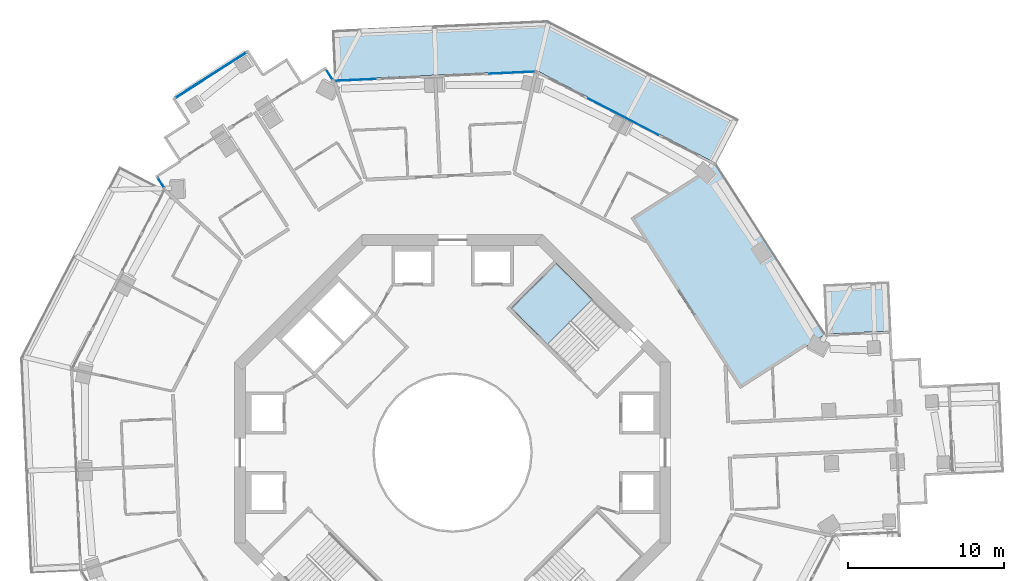
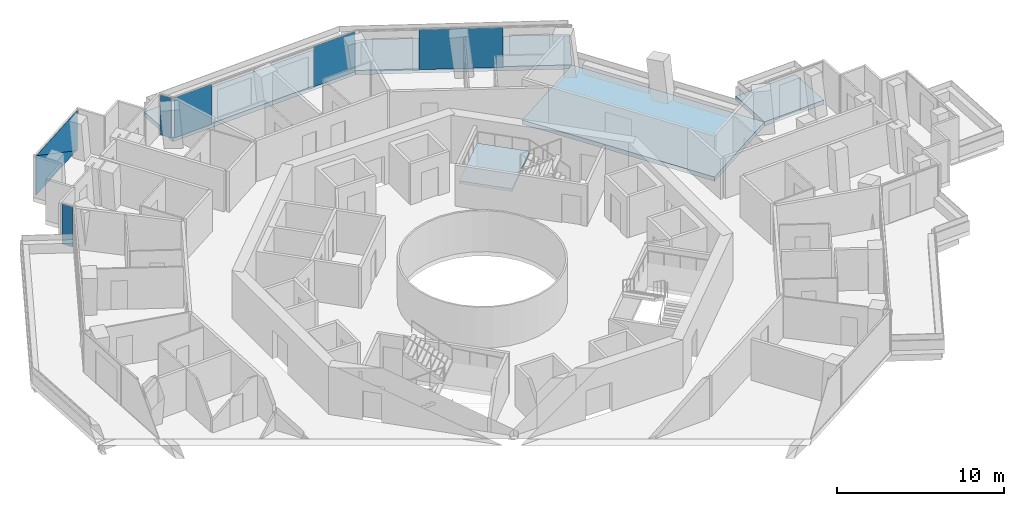
# One storey, part 13 of 22: 7 plates, 4 slabs, 6 elements without a shape of their own.
"""IFC4 building model written with IfcOpenShell, lengths in metres."""

from ifc_helpers import new_model, si_unit, direction, frame, origin, origin_2d, place, context, subcontext, project, spatial, polyline, rectangle, outline, extrude, material, layer, layer_set, type_object, element, aggregate, save


model = new_model("IFC4")

# Units and contexts
model_context = context("Model", 3, precision=1e-05, world=origin(), true_north=direction((0.0, 1.0)))
body_context = subcontext(model_context, "Body", "Model", "MODEL_VIEW")
ifc_project = project(units=[si_unit("LENGTHUNIT", "METRE"), si_unit("AREAUNIT", "SQUARE_METRE"), si_unit("VOLUMEUNIT", "CUBIC_METRE"), si_unit("PLANEANGLEUNIT", "RADIAN"), si_unit("MASSUNIT", "GRAM", prefix="KILO")], contexts=[model_context])

# Site, building, storey
site_placement = place(None, origin())
site = spatial("IfcSite", under=ifc_project, at=site_placement, CompositionType="ELEMENT")
building_placement = place(site_placement, origin())
building = spatial("IfcBuilding", under=site, at=building_placement, Name="Verdalira Terraces Hotel", CompositionType="ELEMENT")
storey_placement = place(building_placement, frame((0.0, 0.0, 165.5)))
storey = spatial("IfcBuildingStorey", under=building, at=storey_placement, Name="L40", CompositionType="ELEMENT", Elevation=165.5)

# Slabs
ifc_material_1 = material(Name="Precast concrete C40/50", Category="concrete")
ifc_layer_1 = layer(ifc_material_1, 0.31005859375)
ifc_layer_set_1 = layer_set([ifc_layer_1], Name="Balcony deck 310")
slab_type_1 = type_object("IfcSlabType", Name="Balcony deck 310", PredefinedType="FLOOR", material=ifc_layer_set_1)
slab_1_placement = place(storey_placement, frame((0.0, 0.0, -0.310059)))
element("IfcSlab", 1, at=slab_1_placement, inside=storey, type_object=slab_type_1, Name="Balcony deck", PredefinedType="FLOOR", context=body_context, shape_type="SweptSolid", body=[
    extrude(outline(polyline([(23.785889, 10.807129), (23.933105, 7.610352), (28.169189, 7.805664), (28.021729, 11.002441), (23.785889, 10.807129)])), origin(), (0.0, 0.0, 1.0), 0.310059),
])
slab_2_placement = place(storey_placement, frame((0.0, 0.0, -0.310059)))
element("IfcSlab", 2, at=slab_2_placement, inside=storey, type_object=slab_type_1, Name="Balcony deck", PredefinedType="FLOOR", context=body_context, shape_type="SweptSolid", body=[
    extrude(outline(polyline([(-7.757812, 27.129883), (-7.610352, 23.933105), (5.375732, 24.531982), (16.921631, 18.557373), (18.39209, 21.399414), (6.084961, 27.768066), (-7.757812, 27.129883)])), origin(), (0.0, 0.0, 1.0), 0.310059),
])

# Curtain wall, plate
ifc_material_2 = material(Name="Clear glass", Category="glass")
ifc_layer_2 = layer(ifc_material_2, 0.14990234375)
ifc_layer_set_2 = layer_set([ifc_layer_2], Name="CW1 curtain wall")
curtain_wall_type_1 = type_object("IfcCurtainWallType", Name="CW1 curtain wall", PredefinedType="NOTDEFINED", material=ifc_layer_set_2)
curtain_wall_1_placement = place(storey_placement, origin())
curtain_wall_1 = element("IfcCurtainWall", 3, at=curtain_wall_1_placement, inside=storey, type_object=curtain_wall_type_1, Name="CW1 curtain wall L40 edge 40", PredefinedType="NOTDEFINED")
ifc_material_3 = material(Name="Clear glass", Category="glass")
ifc_layer_3 = layer(ifc_material_3, 0.028076171875)
ifc_layer_set_3 = layer_set([ifc_layer_3], Name="CW1 glass unit 28")
plate_type_1 = type_object("IfcPlateType", Name="CW1 glass unit 28", PredefinedType="CURTAIN_PANEL", material=ifc_layer_set_3)
plate_1_placement = place(storey_placement, frame((10.964844, 21.55542, 0.0), z_axis=(0.0, 0.0, 1.0), x_axis=(-0.888136449, 0.459579861, 0.0)))
plate_1 = element("IfcPlate", 4, at=plate_1_placement, type_object=plate_type_1, Name="CW1 glass unit", PredefinedType="CURTAIN_PANEL", context=body_context, shape_type="SweptSolid", body=[
    extrude(rectangle(XDim=5.042969, YDim=0.028076, at=origin_2d()), origin(), (0.0, 0.0, 1.0), 2.935059),
])
aggregate(curtain_wall_1, [plate_1])

# Curtain wall, plates
curtain_wall_2_placement = place(storey_placement, origin())
curtain_wall_2 = element("IfcCurtainWall", 5, at=curtain_wall_2_placement, inside=storey, type_object=curtain_wall_type_1, Name="CW1 curtain wall L40 edge 41", PredefinedType="NOTDEFINED")
plate_2_placement = place(storey_placement, frame((3.818359, 24.38501, 0.0), z_axis=(0.0, 0.0, 1.0), x_axis=(-0.998938657, -0.04606039, 0.0)))
plate_2 = element("IfcPlate", 6, at=plate_2_placement, type_object=plate_type_1, Name="CW1 glass unit", PredefinedType="CURTAIN_PANEL", context=body_context, shape_type="SweptSolid", body=[
    extrude(rectangle(XDim=2.924805, YDim=0.028076, at=origin_2d()), origin(), (0.0, 0.0, 1.0), 2.935059),
])
plate_3_placement = place(storey_placement, frame((-6.235352, 23.921631, 0.0), z_axis=(0.0, 0.0, 1.0), x_axis=(-0.998938657, -0.04606039, 0.0)))
plate_3 = element("IfcPlate", 7, at=plate_3_placement, type_object=plate_type_1, Name="CW1 glass unit", PredefinedType="CURTAIN_PANEL", context=body_context, shape_type="SweptSolid", body=[
    extrude(rectangle(XDim=2.625977, YDim=0.028076, at=origin_2d()), origin(), (0.0, 0.0, 1.0), 2.935059),
])
aggregate(curtain_wall_2, [plate_2, plate_3])

# Curtain wall, plate
ifc_material_4 = material(Name="Clear glass", Category="glass")
ifc_layer_4 = layer(ifc_material_4, 0.14990234375)
ifc_layer_set_4 = layer_set([ifc_layer_4], Name="CW2 curtain wall")
curtain_wall_type_2 = type_object("IfcCurtainWallType", Name="CW2 curtain wall", PredefinedType="NOTDEFINED", material=ifc_layer_set_4)
curtain_wall_3_placement = place(storey_placement, origin())
curtain_wall_3 = element("IfcCurtainWall", 8, at=curtain_wall_3_placement, inside=storey, type_object=curtain_wall_type_2, Name="CW2 curtain wall L40 edge 0", PredefinedType="NOTDEFINED")
ifc_material_5 = material(Name="Clear glass", Category="glass")
ifc_layer_5 = layer(ifc_material_5, 0.031982421875)
ifc_layer_set_5 = layer_set([ifc_layer_5], Name="CW2 glass unit 32")
plate_type_2 = type_object("IfcPlateType", Name="CW2 glass unit 32", PredefinedType="CURTAIN_PANEL", material=ifc_layer_set_5)
plate_4_placement = place(storey_placement, frame((-7.902832, 24.250732, 0.0), z_axis=(0.0, 0.0, 1.0), x_axis=(-0.539358796, 0.842076059, 0.0)))
plate_4 = element("IfcPlate", 9, at=plate_4_placement, type_object=plate_type_2, Name="CW2 glass unit", PredefinedType="CURTAIN_PANEL", context=body_context, shape_type="SweptSolid", body=[
    extrude(rectangle(XDim=0.709961, YDim=0.031982, at=origin_2d()), origin(), (0.0, 0.0, 1.0), 2.935059),
])
aggregate(curtain_wall_3, [plate_4])

curtain_wall_4_placement = place(storey_placement, origin())
curtain_wall_4 = element("IfcCurtainWall", 10, at=curtain_wall_4_placement, inside=storey, type_object=curtain_wall_type_2, Name="CW2 curtain wall L40 edge 10", PredefinedType="NOTDEFINED")
plate_5_placement = place(storey_placement, frame((-18.723389, 17.319824, 0.0), z_axis=(0.0, 0.0, 1.0), x_axis=(0.539358796, -0.842076059, 0.0)))
plate_5 = element("IfcPlate", 11, at=plate_5_placement, type_object=plate_type_2, Name="CW2 glass unit", PredefinedType="CURTAIN_PANEL", context=body_context, shape_type="SweptSolid", body=[
    extrude(rectangle(XDim=0.709961, YDim=0.031982, at=origin_2d()), origin(), (0.0, 0.0, 1.0), 2.935059),
])
aggregate(curtain_wall_4, [plate_5])

# Curtain wall, plates
ifc_material_6 = material(Name="Clear glass", Category="glass")
ifc_layer_6 = layer(ifc_material_6, 0.14990234375)
ifc_layer_set_6 = layer_set([ifc_layer_6], Name="CW3 curtain wall")
curtain_wall_type_3 = type_object("IfcCurtainWallType", Name="CW3 curtain wall", PredefinedType="NOTDEFINED", material=ifc_layer_set_6)
curtain_wall_5_placement = place(storey_placement, origin())
curtain_wall_5 = element("IfcCurtainWall", 12, at=curtain_wall_5_placement, inside=storey, type_object=curtain_wall_type_3, Name="CW3 curtain wall L40 edge 5", PredefinedType="NOTDEFINED")
ifc_material_7 = material(Name="Clear glass", Category="glass")
ifc_layer_7 = layer(ifc_material_7, 0.035888671875)
ifc_layer_set_7 = layer_set([ifc_layer_7], Name="CW3 glass unit 36")
plate_type_3 = type_object("IfcPlateType", Name="CW3 glass unit 36", PredefinedType="CURTAIN_PANEL", material=ifc_layer_set_7)
plate_6_placement = place(storey_placement, frame((-15.514893, 24.222656, 1.467529), z_axis=(-0.539358796, 0.842076059, 0.0), x_axis=(-0.842076059, -0.539358796, 0.0)))
plate_6 = element("IfcPlate", 13, at=plate_6_placement, type_object=plate_type_3, Name="CW3 glass unit", PredefinedType="CURTAIN_PANEL", context=body_context, shape_type="SweptSolid", body=[
    extrude(outline(polyline([(-2.669922, -1.467529), (2.669922, -1.467529), (2.669922, 1.467529), (-2.669922, -1.467529)])), origin(), (0.0, 0.0, 1.0), 0.035889),
])
plate_7_placement = place(storey_placement, frame((-15.494873, 24.191406, 1.467529), z_axis=(-0.539358796, 0.842076059, 0.0), x_axis=(-0.842076059, -0.539358796, 0.0)))
plate_7 = element("IfcPlate", 14, at=plate_7_placement, type_object=plate_type_3, Name="CW3 glass unit", PredefinedType="CURTAIN_PANEL", context=body_context, shape_type="SweptSolid", body=[
    extrude(outline(polyline([(-2.669922, -1.467529), (2.669922, 1.467529), (-2.669922, 1.467529), (-2.669922, -1.467529)])), origin(), (0.0, 0.0, 1.0), 0.035889),
])
aggregate(curtain_wall_5, [plate_6, plate_7])

# Stair, slab
ifc_material_8 = material(Name="Concrete C40", Category="concrete")
stair_type = type_object("IfcStairType", Name="Core stair 20 risers 2000 mm wide", PredefinedType="HALF_TURN_STAIR", material=ifc_material_8)
stair_placement = place(storey_placement, origin())
stair = element("IfcStair", 15, at=stair_placement, inside=storey, type_object=stair_type, Name="L40 Exit stair ST1", PredefinedType="HALF_TURN_STAIR")
ifc_material_9 = material(Name="Concrete C40", Category="concrete")
ifc_layer_8 = layer(ifc_material_9, 0.199951171875)
ifc_layer_set_8 = layer_set([ifc_layer_8], Name="Core stair landing 200 mm")
slab_type_2 = type_object("IfcSlabType", Name="Core stair landing 200 mm", PredefinedType="LANDING", material=ifc_layer_set_8)
slab_3_placement = place(storey_placement, frame((0.0, 0.0, 1.550049)))
slab_3 = element("IfcSlab", 16, at=slab_3_placement, type_object=slab_type_2, Name="ST1 landing 1", PredefinedType="LANDING", context=body_context, shape_type="SweptSolid", body=[
    extrude(outline(polyline([(8.966553, 9.842529), (6.646729, 12.162354), (3.747559, 9.263184), (6.067383, 6.943359), (8.966553, 9.842529)])), origin(), (0.0, 0.0, 1.0), 0.199951),
])
aggregate(stair, [slab_3])

# Slab
ifc_material_10 = material(Name="Concrete C40", Category="concrete")
ifc_layer_9 = layer(ifc_material_10, 0.31005859375)
ifc_layer_set_9 = layer_set([ifc_layer_9], Name="Loggia floor deck 310 C40")
slab_type_3 = type_object("IfcSlabType", Name="Loggia floor deck 310 C40", PredefinedType="FLOOR", material=ifc_layer_set_9)
slab_4_placement = place(storey_placement, frame((0.0, 0.0, -0.310059)))
element("IfcSlab", 17, at=slab_4_placement, inside=storey, type_object=slab_type_3, Name="Loggia deck L40", PredefinedType="FLOOR", context=body_context, shape_type="SweptSolid", body=[
    extrude(outline(polyline([(18.459717, 4.104492), (23.933105, 7.610352), (16.921387, 18.557373), (11.447998, 15.051514), (18.459717, 4.104492)])), origin(), (0.0, 0.0, 1.0), 0.310059),
])

save(model, "model.ifc")
